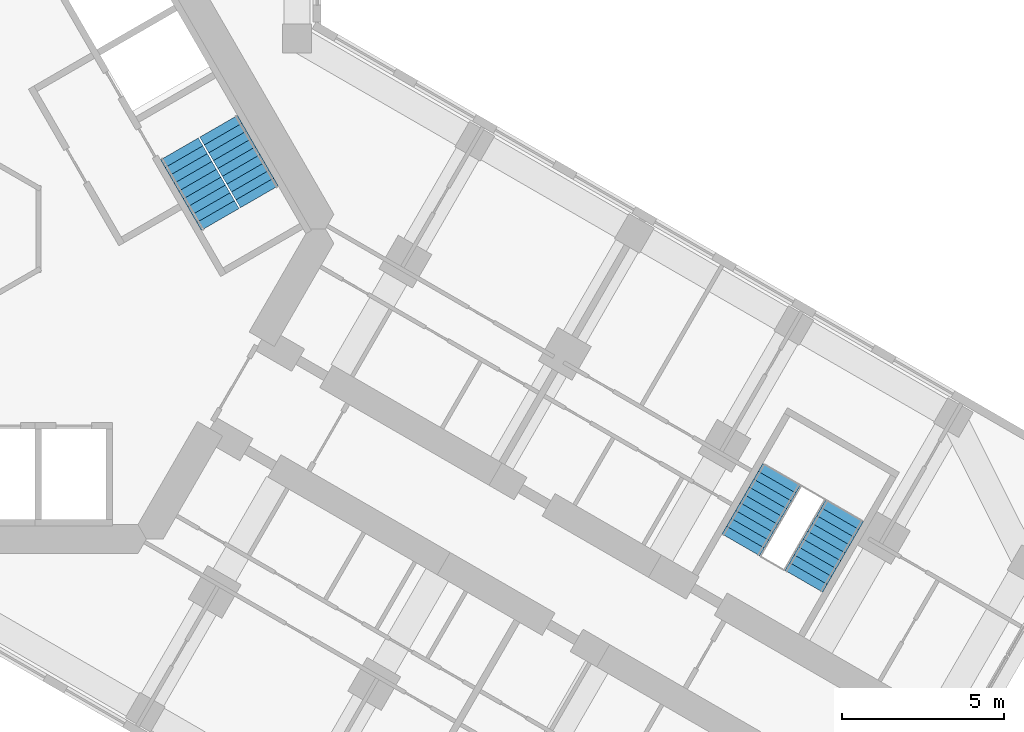
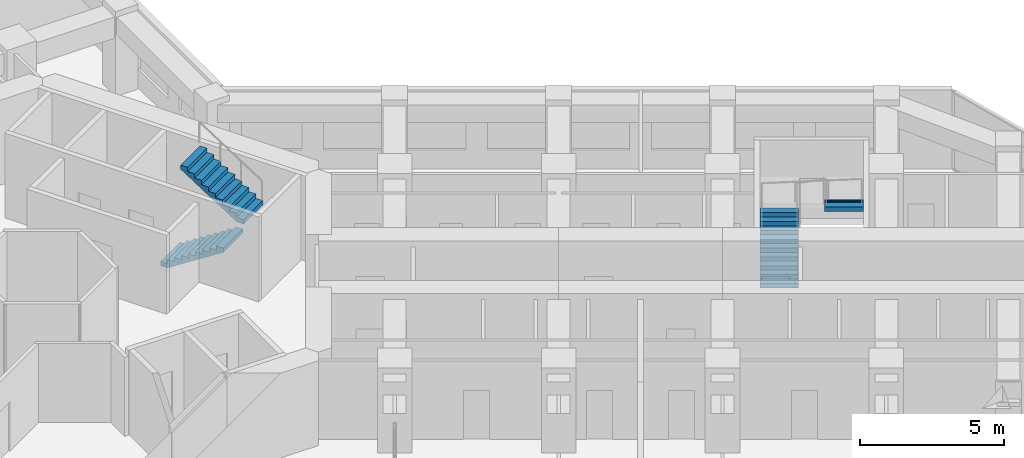
# One storey, part 19 of 20: 4 stair flights, 2 elements without a shape of their own.
"""IFC4 building model written with IfcOpenShell, lengths in metres."""

from ifc_helpers import new_model, si_unit, direction, frame, origin, place, context, subcontext, project, spatial, polyline, outline, extrude, material, type_object, element, aggregate, save


model = new_model("IFC4")

# Units and contexts
model_context = context("Model", 3, precision=1e-05, world=origin(), true_north=direction((0.0, 1.0)))
body_context = subcontext(model_context, "Body", "Model", "MODEL_VIEW")
ifc_project = project(units=[si_unit("LENGTHUNIT", "METRE"), si_unit("AREAUNIT", "SQUARE_METRE"), si_unit("VOLUMEUNIT", "CUBIC_METRE"), si_unit("PLANEANGLEUNIT", "RADIAN"), si_unit("MASSUNIT", "GRAM", prefix="KILO")], contexts=[model_context])

# Site, building, storey
site_placement = place(None, origin())
site = spatial("IfcSite", under=ifc_project, at=site_placement, CompositionType="ELEMENT")
building_placement = place(site_placement, origin())
building = spatial("IfcBuilding", under=site, at=building_placement, Name="Kosmar Iwan School Tower", CompositionType="ELEMENT")
storey_placement = place(building_placement, frame((0.0, 0.0, 131.0)))
storey = spatial("IfcBuildingStorey", under=building, at=storey_placement, Name="L32", CompositionType="ELEMENT", Elevation=131.0)

# Stair, stair flights
ifc_material_1 = material(Name="Concrete C35/45", Category="concrete")
stair_type_1 = type_object("IfcStairType", Name="Escape stair 3600", PredefinedType="HALF_TURN_STAIR", material=ifc_material_1)
stair_1_placement = place(storey_placement, origin())
stair_1 = element("IfcStair", 1, at=stair_1_placement, inside=storey, type_object=stair_type_1, Name="Stair WS3 L32", PredefinedType="HALF_TURN_STAIR")
ifc_material_2 = material(Name="Concrete C35/45", Category="concrete")
stair_flight_type_1 = type_object("IfcStairFlightType", Name="Escape stair flight 1350", PredefinedType="STRAIGHT", material=ifc_material_2)
stair_flight_1_placement = place(storey_placement, frame((23.94189453125, -9.781494140625, 0.0), z_axis=(0.0, 0.0, 1.0), x_axis=(0.5, 0.866025403784, 0.0)))
stair_flight_1 = element("IfcStairFlight", 2, at=stair_flight_1_placement, type_object=stair_flight_type_1, Name="WS3 flight 1", NumberOfRisers=10, NumberOfTreads=9, PredefinedType="STRAIGHT", RiserHeight=0.18, TreadLength=0.28, context=body_context, shape_type="SweptSolid", body=[
    extrude(outline(polyline([(0.0, 0.0), (0.0, 0.179931640625), (0.280029296875, 0.179931640625), (0.280029296875, 0.360107421875), (0.56005859375, 0.360107421875), (0.56005859375, 0.5400390625), (0.840087890625, 0.5400390625), (0.840087890625, 0.719970703125), (1.1201171875, 0.719970703125), (1.1201171875, 0.89990234375), (1.39990234375, 0.89990234375), (1.39990234375, 1.080078125), (1.679931640625, 1.080078125), (1.679931640625, 1.260009765625), (1.9599609375, 1.260009765625), (1.9599609375, 1.43994140625), (2.239990234375, 1.43994140625), (2.239990234375, 1.6201171875), (2.52001953125, 1.6201171875), (2.52001953125, 1.800048828125), (2.52001953125, 1.44189453125), (0.277099609375, 0.0), (0.0, 0.0)])), frame((0.0, 0.675048828125, 0.0), z_axis=(0.0, -1.0, 0.0), x_axis=(1.0, 0.0, 0.0)), (0.0, 0.0, 1.0), 1.35009765625),
])
stair_flight_2_placement = place(storey_placement, frame((27.150390625, -8.72412109375, 1.800048828125), z_axis=(0.0, 0.0, 1.0), x_axis=(-0.5, -0.866025403784, 0.0)))
stair_flight_2 = element("IfcStairFlight", 3, at=stair_flight_2_placement, type_object=stair_flight_type_1, Name="WS3 flight 2", NumberOfRisers=10, NumberOfTreads=9, PredefinedType="STRAIGHT", RiserHeight=0.18, TreadLength=0.28, context=body_context, shape_type="SweptSolid", body=[
    extrude(outline(polyline([(0.0, 0.0), (0.0, 0.179931640625), (0.280029296875, 0.179931640625), (0.280029296875, 0.360107421875), (0.56005859375, 0.360107421875), (0.56005859375, 0.5400390625), (0.840087890625, 0.5400390625), (0.840087890625, 0.719970703125), (1.1201171875, 0.719970703125), (1.1201171875, 0.89990234375), (1.39990234375, 0.89990234375), (1.39990234375, 1.080078125), (1.679931640625, 1.080078125), (1.679931640625, 1.260009765625), (1.9599609375, 1.260009765625), (1.9599609375, 1.43994140625), (2.239990234375, 1.43994140625), (2.239990234375, 1.6201171875), (2.52001953125, 1.6201171875), (2.52001953125, 1.800048828125), (2.52001953125, 1.44189453125), (0.277099609375, 0.0), (0.0, 0.0)])), frame((0.0, 0.675048828125, 0.0), z_axis=(0.0, -1.0, 0.0), x_axis=(1.0, 0.0, 0.0)), (0.0, 0.0, 1.0), 1.35009765625),
])
aggregate(stair_1, [stair_flight_1, stair_flight_2])

ifc_material_3 = material(Name="Concrete C35/45", Category="concrete")
stair_type_2 = type_object("IfcStairType", Name="Core stair 2750", PredefinedType="HALF_TURN_STAIR", material=ifc_material_3)
stair_2_placement = place(storey_placement, origin())
stair_2 = element("IfcStair", 4, at=stair_2_placement, inside=storey, type_object=stair_type_2, Name="Stair ST1 L32", PredefinedType="HALF_TURN_STAIR")
ifc_material_4 = material(Name="Concrete C35/45", Category="concrete")
stair_flight_type_2 = type_object("IfcStairFlightType", Name="Stair flight 1350", PredefinedType="STRAIGHT", material=ifc_material_4)
stair_flight_3_placement = place(storey_placement, frame((6.567138671875, 2.475341796875, 0.0), z_axis=(0.0, 0.0, 1.0), x_axis=(0.5, -0.866025403784, 0.0)))
stair_flight_3 = element("IfcStairFlight", 5, at=stair_flight_3_placement, type_object=stair_flight_type_2, Name="ST1 flight 1", NumberOfRisers=10, NumberOfTreads=9, PredefinedType="STRAIGHT", RiserHeight=0.18, TreadLength=0.28, context=body_context, shape_type="SweptSolid", body=[
    extrude(outline(polyline([(0.0, 0.0), (0.0, 0.179931640625), (0.280029296875, 0.179931640625), (0.280029296875, 0.360107421875), (0.56005859375, 0.360107421875), (0.56005859375, 0.5400390625), (0.840087890625, 0.5400390625), (0.840087890625, 0.719970703125), (1.1201171875, 0.719970703125), (1.1201171875, 0.89990234375), (1.39990234375, 0.89990234375), (1.39990234375, 1.080078125), (1.679931640625, 1.080078125), (1.679931640625, 1.260009765625), (1.9599609375, 1.260009765625), (1.9599609375, 1.43994140625), (2.239990234375, 1.43994140625), (2.239990234375, 1.6201171875), (2.52001953125, 1.6201171875), (2.52001953125, 1.800048828125), (2.52001953125, 1.44189453125), (0.277099609375, 0.0), (0.0, 0.0)])), frame((0.0, 0.675048828125, 0.0), z_axis=(0.0, -1.0, 0.0), x_axis=(1.0, 0.0, 0.0)), (0.0, 0.0, 1.0), 1.35009765625),
])
stair_flight_4_placement = place(storey_placement, frame((9.03955078125, 0.992919921875, 1.800048828125), z_axis=(0.0, 0.0, 1.0), x_axis=(-0.5, 0.866025403784, 0.0)))
stair_flight_4 = element("IfcStairFlight", 6, at=stair_flight_4_placement, type_object=stair_flight_type_2, Name="ST1 flight 2", NumberOfRisers=10, NumberOfTreads=9, PredefinedType="STRAIGHT", RiserHeight=0.18, TreadLength=0.28, context=body_context, shape_type="SweptSolid", body=[
    extrude(outline(polyline([(0.0, 0.0), (0.0, 0.179931640625), (0.280029296875, 0.179931640625), (0.280029296875, 0.360107421875), (0.56005859375, 0.360107421875), (0.56005859375, 0.5400390625), (0.840087890625, 0.5400390625), (0.840087890625, 0.719970703125), (1.1201171875, 0.719970703125), (1.1201171875, 0.89990234375), (1.39990234375, 0.89990234375), (1.39990234375, 1.080078125), (1.679931640625, 1.080078125), (1.679931640625, 1.260009765625), (1.9599609375, 1.260009765625), (1.9599609375, 1.43994140625), (2.239990234375, 1.43994140625), (2.239990234375, 1.6201171875), (2.52001953125, 1.6201171875), (2.52001953125, 1.800048828125), (2.52001953125, 1.44189453125), (0.277099609375, 0.0), (0.0, 0.0)])), frame((0.0, 0.675048828125, 0.0), z_axis=(0.0, -1.0, 0.0), x_axis=(1.0, 0.0, 0.0)), (0.0, 0.0, 1.0), 1.35009765625),
])
aggregate(stair_2, [stair_flight_3, stair_flight_4])

save(model, "model.ifc")
